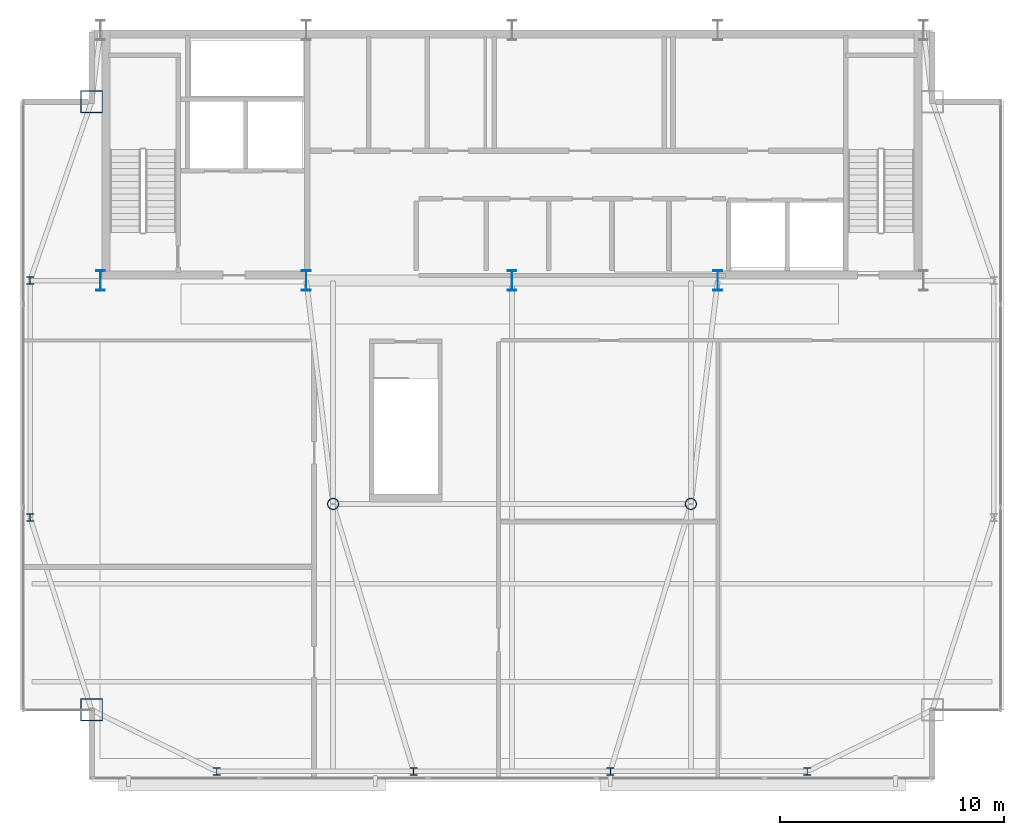
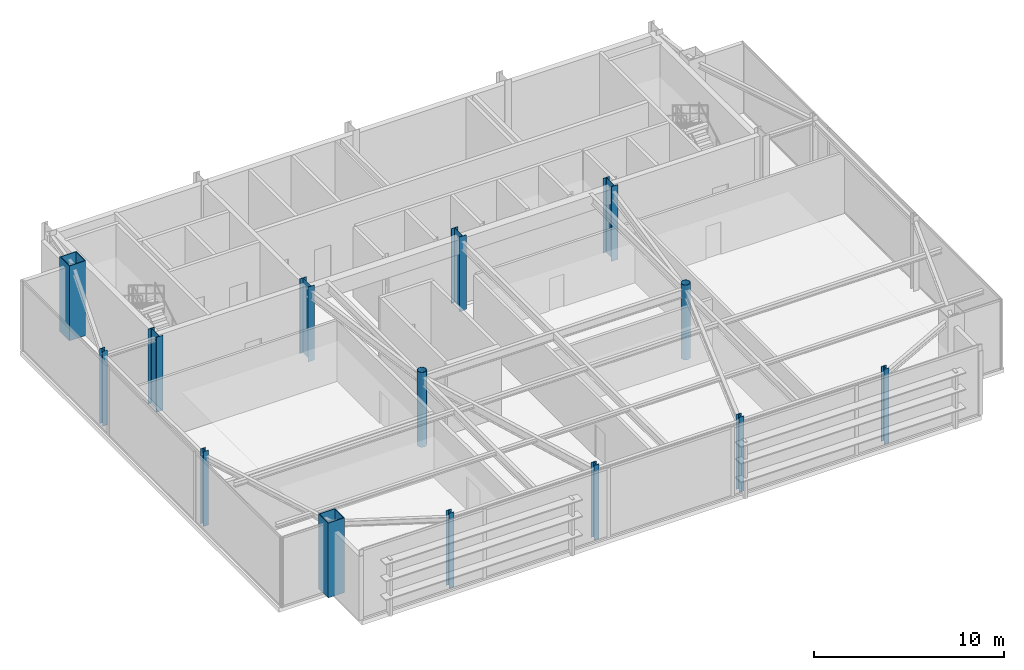
# One storey, part 1 of 20: 14 columns.
"""IFC4 building model written with IfcOpenShell, lengths in metres."""

from ifc_helpers import new_model, si_unit, direction, frame, origin, origin_2d, place, context, subcontext, project, spatial, hollow_rectangle, hollow_circle, i_section, extrude, source, transform, mapped, material, material_profile, profile_set, type_object, type_shapes, element, save


model = new_model("IFC4")

# Units and contexts
model_context = context("Model", 3, precision=1e-05, world=origin(), true_north=direction((0.0, 1.0)))
body_context = subcontext(model_context, "Body", "Model", "MODEL_VIEW")
ifc_project = project(units=[si_unit("LENGTHUNIT", "METRE"), si_unit("AREAUNIT", "SQUARE_METRE"), si_unit("VOLUMEUNIT", "CUBIC_METRE"), si_unit("PLANEANGLEUNIT", "RADIAN"), si_unit("MASSUNIT", "GRAM", prefix="KILO")], contexts=[model_context])

# Site, building, storey
site_placement = place(None, origin())
site = spatial("IfcSite", under=ifc_project, at=site_placement, CompositionType="ELEMENT")
building_placement = place(site_placement, origin())
building = spatial("IfcBuilding", under=site, at=building_placement, Name="Varnel Quay Broadcast Tower", CompositionType="ELEMENT")
storey_placement = place(building_placement, frame((0.0, 0.0, 309.800048828125)))
storey = spatial("IfcBuildingStorey", under=building, at=storey_placement, Name="L77", CompositionType="ELEMENT", Elevation=309.800048828125)

# Columns
ifc_material_1 = material(Name="Structural Steel CSA G40.21 350WT", Category="steel")
ifc_material_profile_1 = material_profile(ifc_material_1, i_section(OverallWidth=0.39990234375, OverallDepth=0.89990234375, WebThickness=0.01611328125, FlangeThickness=0.028076171875, FilletRadius=0.01611328125, at=origin_2d()), Name="WWF900X309")
ifc_profile_set_1 = profile_set([ifc_material_profile_1], Name="Structural Steel CSA G40.21 350WT")
column_type_1 = type_object("IfcColumnType", Name="Col_WWF900X309", PredefinedType="COLUMN", material=ifc_profile_set_1)
shared_shape_1 = source(origin(), body_context, "Body", "SweptSolid", [
    extrude(i_section(OverallWidth=0.39990234375, OverallDepth=0.89990234375, WebThickness=0.01611328125, FlangeThickness=0.028076171875, FilletRadius=0.01611328125, at=origin_2d()), origin(), (0.0, 0.0, 1.0), 4.800048828125),
])
type_shapes(column_type_1, [shared_shape_1])
for number, where, z_axis, x_axis, name in (
    (1, (15.60009765625, 35.60009765625, 0.0), (0.0, 0.0, 1.0), (1.0, 0.0, 0.0), "L77 Column CC-S1"),
    (2, (24.800048828125, 35.60009765625, 0.0), (0.0, 0.0, 1.0), (1.0, 0.0, 0.0), "L77 Column CC-S2"),
    (3, (34.0, 35.60009765625, 0.0), (0.0, 0.0, 1.0), (1.0, 0.0, 0.0), "L77 Column CC-S3"),
    (4, (43.199951171875, 35.60009765625, 0.0), (0.0, 0.0, 1.0), (1.0, 0.0, 0.0), "L77 Column CC-S4"),
):
    element("IfcColumn", number, at=place(storey_placement, frame(where, z_axis=z_axis, x_axis=x_axis)), inside=storey, type_object=column_type_1, Name=name, PredefinedType="COLUMN", context=body_context, shape_type="MappedRepresentation", body=[
        mapped(shared_shape_1, transform((0.0, 0.0, 0.0), x_axis=(1.0, 0.0, 0.0), y_axis=(0.0, 1.0, 0.0), z_axis=(0.0, 0.0, 1.0), scale=1.0)),
    ])
ifc_material_profile_2 = material_profile(ifc_material_1, hollow_rectangle(XDim=1.0, YDim=1.0, WallThickness=0.0400390625, at=origin_2d()), Name="BOX1000X1000X40")
ifc_profile_set_2 = profile_set([ifc_material_profile_2], Name="Structural Steel CSA G40.21 350WT")
column_type_2 = type_object("IfcColumnType", Name="Col_BOX1000X1000X40", PredefinedType="COLUMN", material=ifc_profile_set_2)
shared_shape_2 = source(origin(), body_context, "Body", "SweptSolid", [
    extrude(hollow_rectangle(XDim=1.0, YDim=1.0, WallThickness=0.0400390625, at=origin_2d()), origin(), (0.0, 0.0, 1.0), 4.800048828125),
])
type_shapes(column_type_2, [shared_shape_2])
for number, where, z_axis, x_axis, name in (
    (5, (15.199951171875, 16.39990234375, 0.0), (0.0, 0.0, 1.0), (1.0, 0.0, 0.0), "L77 Column MC-SW"),
    (6, (15.199951171875, 43.60009765625, 0.0), (0.0, 0.0, 1.0), (1.0, 0.0, 0.0), "L77 Column MC-NW"),
):
    element("IfcColumn", number, at=place(storey_placement, frame(where, z_axis=z_axis, x_axis=x_axis)), inside=storey, type_object=column_type_2, Name=name, PredefinedType="COLUMN", context=body_context, shape_type="MappedRepresentation", body=[
        mapped(shared_shape_2, transform((0.0, 0.0, 0.0), x_axis=(1.0, 0.0, 0.0), y_axis=(0.0, 1.0, 0.0), z_axis=(0.0, 0.0, 1.0), scale=1.0)),
    ])
ifc_material_2 = material(Name="Structural Steel CSA G40.21 350W", Category="steel")
ifc_material_profile_3 = material_profile(ifc_material_2, i_section(OverallWidth=0.30908203125, OverallDepth=0.322998046875, WebThickness=0.013916015625, FlangeThickness=0.02294921875, FilletRadius=0.014892578125, at=origin_2d()), Name="W310X143")
ifc_profile_set_3 = profile_set([ifc_material_profile_3], Name="Structural Steel CSA G40.21 350W")
column_type_3 = type_object("IfcColumnType", Name="Col_W310X143", PredefinedType="COLUMN", material=ifc_profile_set_3)
shared_shape_3 = source(origin(), body_context, "Body", "SweptSolid", [
    extrude(i_section(OverallWidth=0.30908203125, OverallDepth=0.322998046875, WebThickness=0.013916015625, FlangeThickness=0.02294921875, FilletRadius=0.014892578125, at=origin_2d()), origin(), (0.0, 0.0, 1.0), 4.800048828125),
])
type_shapes(column_type_3, [shared_shape_3])
for number, where, z_axis, x_axis, name in (
    (7, (20.800048828125, 13.64990234375, 0.0), (0.0, 0.0, 1.0), (1.0, 0.0, 0.0), "L77 Column TC-S1"),
    (8, (29.60009765625, 13.64990234375, 0.0), (0.0, 0.0, 1.0), (1.0, 0.0, 0.0), "L77 Column TC-S2"),
    (9, (38.39990234375, 13.64990234375, 0.0), (0.0, 0.0, 1.0), (1.0, 0.0, 0.0), "L77 Column TC-S3"),
    (10, (47.199951171875, 13.64990234375, 0.0), (0.0, 0.0, 1.0), (1.0, 0.0, 0.0), "L77 Column TC-S4"),
    (11, (12.449951171875, 25.0, 0.0), (0.0, 0.0, 1.0), (1.0, 0.0, 0.0), "L77 Column TC-W1"),
    (12, (12.449951171875, 35.60009765625, 0.0), (0.0, 0.0, 1.0), (1.0, 0.0, 0.0), "L77 Column TC-W2"),
):
    element("IfcColumn", number, at=place(storey_placement, frame(where, z_axis=z_axis, x_axis=x_axis)), inside=storey, type_object=column_type_3, Name=name, PredefinedType="COLUMN", context=body_context, shape_type="MappedRepresentation", body=[
        mapped(shared_shape_3, transform((0.0, 0.0, 0.0), x_axis=(1.0, 0.0, 0.0), y_axis=(0.0, 1.0, 0.0), z_axis=(0.0, 0.0, 1.0), scale=1.0)),
    ])
ifc_material_profile_4 = material_profile(ifc_material_2, hollow_circle(Radius=0.25390625, WallThickness=0.02001953125, at=origin_2d()), Name="CHS508X20")
ifc_profile_set_4 = profile_set([ifc_material_profile_4], Name="Structural Steel CSA G40.21 350W")
column_type_4 = type_object("IfcColumnType", Name="Col_CHS508X20", PredefinedType="COLUMN", material=ifc_profile_set_4)
shared_shape_4 = source(origin(), body_context, "Body", "SweptSolid", [
    extrude(hollow_circle(Radius=0.25390625, WallThickness=0.02001953125, at=origin_2d()), origin(), (0.0, 0.0, 1.0), 4.800048828125),
])
type_shapes(column_type_4, [shared_shape_4])
for number, where, z_axis, x_axis, name in (
    (13, (26.0, 25.610107421875, 0.0), (0.0, 0.0, 1.0), (1.0, 0.0, 0.0), "L77 Column IC-01"),
    (14, (42.0, 25.610107421875, 0.0), (0.0, 0.0, 1.0), (1.0, 0.0, 0.0), "L77 Column IC-02"),
):
    element("IfcColumn", number, at=place(storey_placement, frame(where, z_axis=z_axis, x_axis=x_axis)), inside=storey, type_object=column_type_4, Name=name, PredefinedType="COLUMN", context=body_context, shape_type="MappedRepresentation", body=[
        mapped(shared_shape_4, transform((0.0, 0.0, 0.0), x_axis=(1.0, 0.0, 0.0), y_axis=(0.0, 1.0, 0.0), z_axis=(0.0, 0.0, 1.0), scale=1.0)),
    ])

save(model, "model.ifc")
